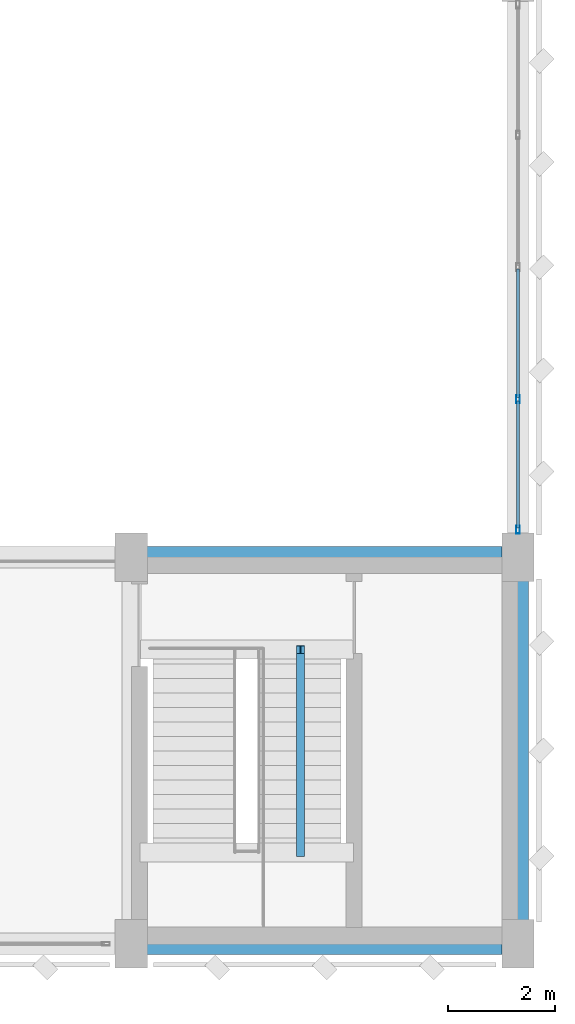
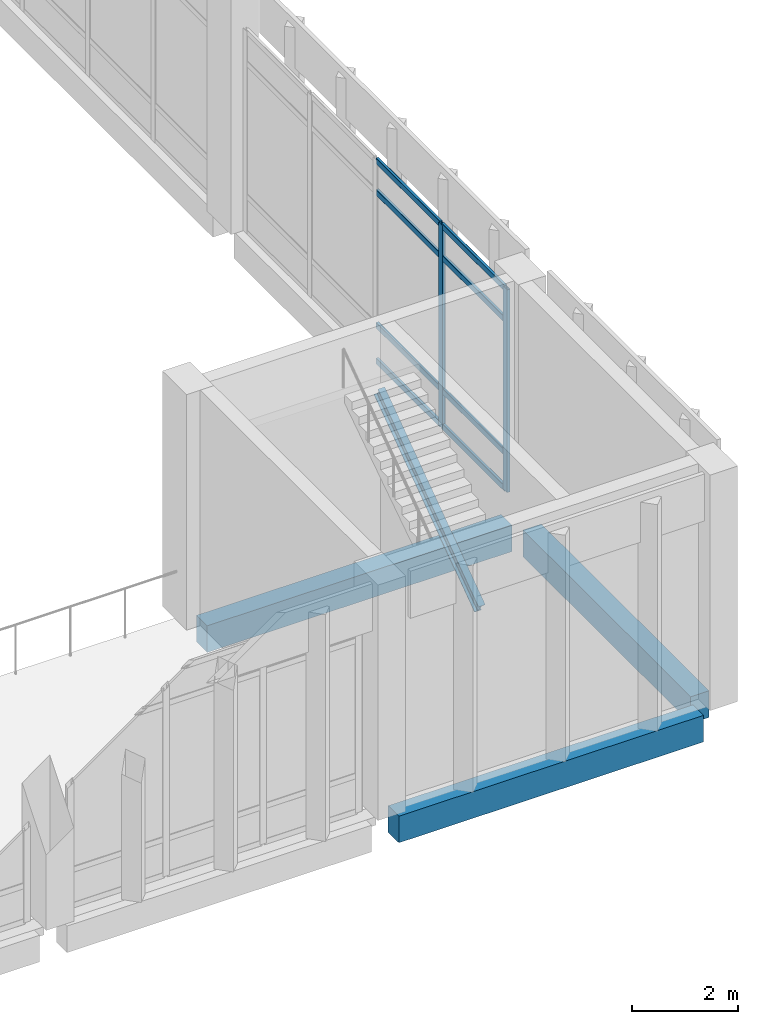
# One storey, part 101 of 180: 10 members, 4 beams, 1 element without a shape of its own.
"""IFC4 building model written with IfcOpenShell, lengths in metres."""

from ifc_helpers import new_model, si_unit, direction, frame, origin, origin_2d, place, context, subcontext, project, spatial, rectangle, hollow_rectangle, i_section, extrude, material, material_profile, profile_set, type_object, element, aggregate, save


model = new_model("IFC4")

# Units and contexts
model_context = context("Model", 3, precision=1e-05, world=origin(), true_north=direction((0.0, 1.0)))
body_context = subcontext(model_context, "Body", "Model", "MODEL_VIEW")
ifc_project = project(units=[si_unit("LENGTHUNIT", "METRE"), si_unit("AREAUNIT", "SQUARE_METRE"), si_unit("VOLUMEUNIT", "CUBIC_METRE"), si_unit("PLANEANGLEUNIT", "RADIAN"), si_unit("MASSUNIT", "GRAM", prefix="KILO")], contexts=[model_context])

# Site, building, storey
site_placement = place(None, origin())
site = spatial("IfcSite", under=ifc_project, at=site_placement, CompositionType="ELEMENT")
building_placement = place(site_placement, origin())
building = spatial("IfcBuilding", under=site, at=building_placement, Name="Lusvemor Sports Hall", CompositionType="ELEMENT")
storey_placement = place(building_placement, frame((0.0, 0.0, 5.39990234375)))
storey = spatial("IfcBuildingStorey", under=building, at=storey_placement, Name="L01", CompositionType="ELEMENT", Elevation=5.39990234375)

# Curtain wall, members
ifc_material_1 = material(Name="Thermally broken bronze-anodized aluminium", Category="aluminium")
curtain_wall_type = type_object("IfcCurtainWallType", Name="CW_COURT_C", PredefinedType="NOTDEFINED", material=ifc_material_1)
curtain_wall_placement = place(storey_placement, origin())
curtain_wall = element("IfcCurtainWall", 1, at=curtain_wall_placement, inside=storey, type_object=curtain_wall_type, Name="Curtain Wall CW-V2E-L01-1", PredefinedType="NOTDEFINED")
ifc_material_2 = material(Name="Thermally broken bronze-anodized aluminium", Category="aluminium")
ifc_material_profile_1 = material_profile(ifc_material_2, hollow_rectangle(XDim=0.06494140625, YDim=0.14990234375, WallThickness=0.00390625, InnerFilletRadius=0.00390625, OuterFilletRadius=0.008056640625, at=origin_2d()), Name="CWMUL150x65x4")
ifc_profile_set_1 = profile_set([ifc_material_profile_1], Name="Thermally broken bronze-anodized aluminium")
member_type_1 = type_object("IfcMemberType", Name="CW_MUL_B", PredefinedType="MULLION", material=ifc_profile_set_1)
member_1_placement = place(storey_placement, frame((169.199951171875, 10.139892578125, 0.0), z_axis=(0.0, 0.0, 1.0), x_axis=(1.0, 0.0, 0.0)))
member_1 = element("IfcMember", 2, at=member_1_placement, type_object=member_type_1, Name="CW03 mullion 4", PredefinedType="MULLION", context=body_context, shape_type="SweptSolid", body=[
    extrude(hollow_rectangle(XDim=0.06494140625, YDim=0.14990234375, WallThickness=0.00390625, InnerFilletRadius=0.00390625, OuterFilletRadius=0.008056640625, at=origin_2d()), origin(), (0.0, 0.0, 1.0), 4.650146484375),
])
member_2_placement = place(storey_placement, frame((169.199951171875, 7.71240234375, 0.0), z_axis=(0.0, 0.0, 1.0), x_axis=(1.0, 0.0, 0.0)))
member_2 = element("IfcMember", 3, at=member_2_placement, type_object=member_type_1, Name="CW03 mullion 5", PredefinedType="MULLION", context=body_context, shape_type="SweptSolid", body=[
    extrude(hollow_rectangle(XDim=0.06494140625, YDim=0.14990234375, WallThickness=0.00390625, InnerFilletRadius=0.00390625, OuterFilletRadius=0.008056640625, at=origin_2d()), origin(), (0.0, 0.0, 1.0), 4.650146484375),
])
ifc_material_3 = material(Name="Thermally broken bronze-anodized aluminium", Category="aluminium")
ifc_material_profile_2 = material_profile(ifc_material_3, hollow_rectangle(XDim=0.06005859375, YDim=0.135009765625, WallThickness=0.00390625, InnerFilletRadius=0.00390625, OuterFilletRadius=0.008056640625, at=origin_2d()), Name="CWTRN135x60x4")
ifc_profile_set_2 = profile_set([ifc_material_profile_2], Name="Thermally broken bronze-anodized aluminium")
member_type_2 = type_object("IfcMemberType", Name="CW_TRN_B", PredefinedType="USERDEFINED", material=ifc_profile_set_2)
member_3_placement = place(storey_placement, frame((169.199951171875, 12.5673828125, 0.030029296875), z_axis=(0.0, -1.0, 0.0), x_axis=(1.0, 0.0, 0.0)))
member_3 = element("IfcMember", 4, at=member_3_placement, type_object=member_type_2, Name="CW03 transom 3.1", ObjectType="TRANSOM", PredefinedType="USERDEFINED", context=body_context, shape_type="SweptSolid", body=[
    extrude(hollow_rectangle(XDim=0.06005859375, YDim=0.135009765625, WallThickness=0.00390625, InnerFilletRadius=0.00390625, OuterFilletRadius=0.008056640625, at=origin_2d()), origin(), (0.0, 0.0, 1.0), 2.394775390625),
])
member_4_placement = place(storey_placement, frame((169.199951171875, 12.5673828125, 0.85009765625), z_axis=(0.0, -1.0, 0.0), x_axis=(1.0, 0.0, 0.0)))
member_4 = element("IfcMember", 5, at=member_4_placement, type_object=member_type_2, Name="CW03 transom 3.2", ObjectType="TRANSOM", PredefinedType="USERDEFINED", context=body_context, shape_type="SweptSolid", body=[
    extrude(hollow_rectangle(XDim=0.06005859375, YDim=0.135009765625, WallThickness=0.00390625, InnerFilletRadius=0.00390625, OuterFilletRadius=0.008056640625, at=origin_2d()), origin(), (0.0, 0.0, 1.0), 2.394775390625),
])
member_5_placement = place(storey_placement, frame((169.199951171875, 12.5673828125, 3.900146484375), z_axis=(0.0, -1.0, 0.0), x_axis=(1.0, 0.0, 0.0)))
member_5 = element("IfcMember", 6, at=member_5_placement, type_object=member_type_2, Name="CW03 transom 3.3", ObjectType="TRANSOM", PredefinedType="USERDEFINED", context=body_context, shape_type="SweptSolid", body=[
    extrude(hollow_rectangle(XDim=0.06005859375, YDim=0.135009765625, WallThickness=0.00390625, InnerFilletRadius=0.00390625, OuterFilletRadius=0.008056640625, at=origin_2d()), origin(), (0.0, 0.0, 1.0), 2.394775390625),
])
member_6_placement = place(storey_placement, frame((169.199951171875, 12.5673828125, 4.6201171875), z_axis=(0.0, -1.0, 0.0), x_axis=(1.0, 0.0, 0.0)))
member_6 = element("IfcMember", 7, at=member_6_placement, type_object=member_type_2, Name="CW03 transom 3.4", ObjectType="TRANSOM", PredefinedType="USERDEFINED", context=body_context, shape_type="SweptSolid", body=[
    extrude(hollow_rectangle(XDim=0.06005859375, YDim=0.135009765625, WallThickness=0.00390625, InnerFilletRadius=0.00390625, OuterFilletRadius=0.008056640625, at=origin_2d()), origin(), (0.0, 0.0, 1.0), 2.394775390625),
])
member_7_placement = place(storey_placement, frame((169.199951171875, 10.107421875, 0.030029296875), z_axis=(0.0, -1.0, 0.0), x_axis=(1.0, 0.0, 0.0)))
member_7 = element("IfcMember", 8, at=member_7_placement, type_object=member_type_2, Name="CW03 transom 4.1", ObjectType="TRANSOM", PredefinedType="USERDEFINED", context=body_context, shape_type="SweptSolid", body=[
    extrude(hollow_rectangle(XDim=0.06005859375, YDim=0.135009765625, WallThickness=0.00390625, InnerFilletRadius=0.00390625, OuterFilletRadius=0.008056640625, at=origin_2d()), origin(), (0.0, 0.0, 1.0), 2.3623046875),
])
member_8_placement = place(storey_placement, frame((169.199951171875, 10.107421875, 0.85009765625), z_axis=(0.0, -1.0, 0.0), x_axis=(1.0, 0.0, 0.0)))
member_8 = element("IfcMember", 9, at=member_8_placement, type_object=member_type_2, Name="CW03 transom 4.2", ObjectType="TRANSOM", PredefinedType="USERDEFINED", context=body_context, shape_type="SweptSolid", body=[
    extrude(hollow_rectangle(XDim=0.06005859375, YDim=0.135009765625, WallThickness=0.00390625, InnerFilletRadius=0.00390625, OuterFilletRadius=0.008056640625, at=origin_2d()), origin(), (0.0, 0.0, 1.0), 2.3623046875),
])
member_9_placement = place(storey_placement, frame((169.199951171875, 10.107421875, 3.900146484375), z_axis=(0.0, -1.0, 0.0), x_axis=(1.0, 0.0, 0.0)))
member_9 = element("IfcMember", 10, at=member_9_placement, type_object=member_type_2, Name="CW03 transom 4.3", ObjectType="TRANSOM", PredefinedType="USERDEFINED", context=body_context, shape_type="SweptSolid", body=[
    extrude(hollow_rectangle(XDim=0.06005859375, YDim=0.135009765625, WallThickness=0.00390625, InnerFilletRadius=0.00390625, OuterFilletRadius=0.008056640625, at=origin_2d()), origin(), (0.0, 0.0, 1.0), 2.3623046875),
])
member_10_placement = place(storey_placement, frame((169.199951171875, 10.107421875, 4.6201171875), z_axis=(0.0, -1.0, 0.0), x_axis=(1.0, 0.0, 0.0)))
member_10 = element("IfcMember", 11, at=member_10_placement, type_object=member_type_2, Name="CW03 transom 4.4", ObjectType="TRANSOM", PredefinedType="USERDEFINED", context=body_context, shape_type="SweptSolid", body=[
    extrude(hollow_rectangle(XDim=0.06005859375, YDim=0.135009765625, WallThickness=0.00390625, InnerFilletRadius=0.00390625, OuterFilletRadius=0.008056640625, at=origin_2d()), origin(), (0.0, 0.0, 1.0), 2.3623046875),
])
aggregate(curtain_wall, [member_1, member_2, member_3, member_4, member_5, member_6, member_7, member_8, member_9, member_10])

# Beams
ifc_material_4 = material(Name="Steel S355", Category="steel")
ifc_material_profile_3 = material_profile(ifc_material_4, i_section(OverallWidth=0.14794921875, OverallDepth=0.26611328125, WebThickness=0.007568359375, FlangeThickness=0.012939453125, FilletRadius=0.012939453125, at=origin_2d()), Name="W250x44.8")
ifc_profile_set_3 = profile_set([ifc_material_profile_3], Name="Steel S355")
beam_type_1 = type_object("IfcBeamType", Name="JOIST_ST_250M", PredefinedType="JOIST", material=ifc_profile_set_3)
beam_1_placement = place(storey_placement, frame((165.14990234375, 1.699951171875, 2.35498046875), z_axis=(0.0, 0.813715715614, 0.581263050746), x_axis=(-1.0, 0.0, 0.0)))
element("IfcBeam", 12, at=beam_1_placement, inside=storey, type_object=beam_type_1, Name="Stair STR-C8-L01 Flight 2 Stringer Beam", PredefinedType="JOIST", context=body_context, shape_type="SweptSolid", body=[
    extrude(i_section(OverallWidth=0.14794921875, OverallDepth=0.26611328125, WebThickness=0.007568359375, FlangeThickness=0.012939453125, FilletRadius=0.012939453125, at=origin_2d()), origin(), (0.0, 0.0, 1.0), 4.6455078125),
])
ifc_material_5 = material(Name="Concrete C40/50", Category="concrete")
ifc_material_profile_4 = material_profile(ifc_material_5, rectangle(XDim=0.39990234375, YDim=0.610107421875, at=origin_2d()), Name="RC400x610")
ifc_profile_set_4 = profile_set([ifc_material_profile_4], Name="Concrete C40/50")
beam_type_2 = type_object("IfcBeamType", Name="SPAND_EXT_650", PredefinedType="SPANDREL", material=ifc_profile_set_4)
for number, where, z_axis, x_axis, name in (
    (13, (162.2958984375, 0.0, -0.56494140625), (1.0, 0.0, 0.0), (0.0, 1.0, 0.0), "Beam L01 A:19-20"),
    (14, (162.2958984375, 7.199951171875, -0.56494140625), (1.0, 0.0, 0.0), (0.0, 1.0, 0.0), "Beam L01 B:19-20"),
):
    element("IfcBeam", number, at=place(storey_placement, frame(where, z_axis=z_axis, x_axis=x_axis)), inside=storey, type_object=beam_type_2, Name=name, PredefinedType="SPANDREL", context=body_context, shape_type="SweptSolid", body=[
        extrude(rectangle(XDim=0.39990234375, YDim=0.610107421875, at=origin_2d()), origin(), (0.0, 0.0, 1.0), 6.608154296875),
    ])
beam_2_placement = place(storey_placement, frame((169.199951171875, 0.446044921875, -0.56494140625), z_axis=(0.0, 1.0, 0.0), x_axis=(-1.0, 0.0, 0.0)))
element("IfcBeam", 15, at=beam_2_placement, inside=storey, type_object=beam_type_2, Name="Beam L01 20:A-B", PredefinedType="SPANDREL", context=body_context, shape_type="SweptSolid", body=[
    extrude(rectangle(XDim=0.39990234375, YDim=0.610107421875, at=origin_2d()), origin(), (0.0, 0.0, 1.0), 6.307861328125),
])

save(model, "model.ifc")
